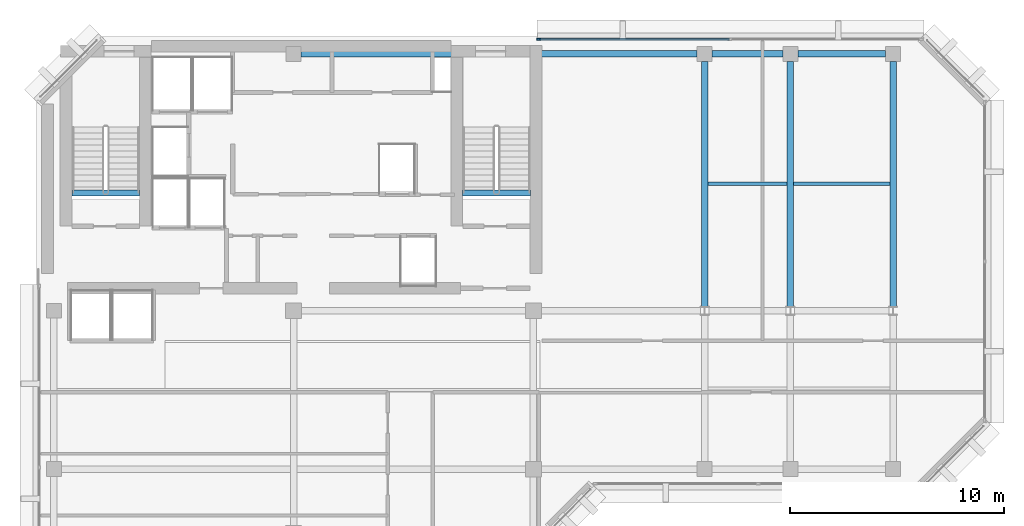
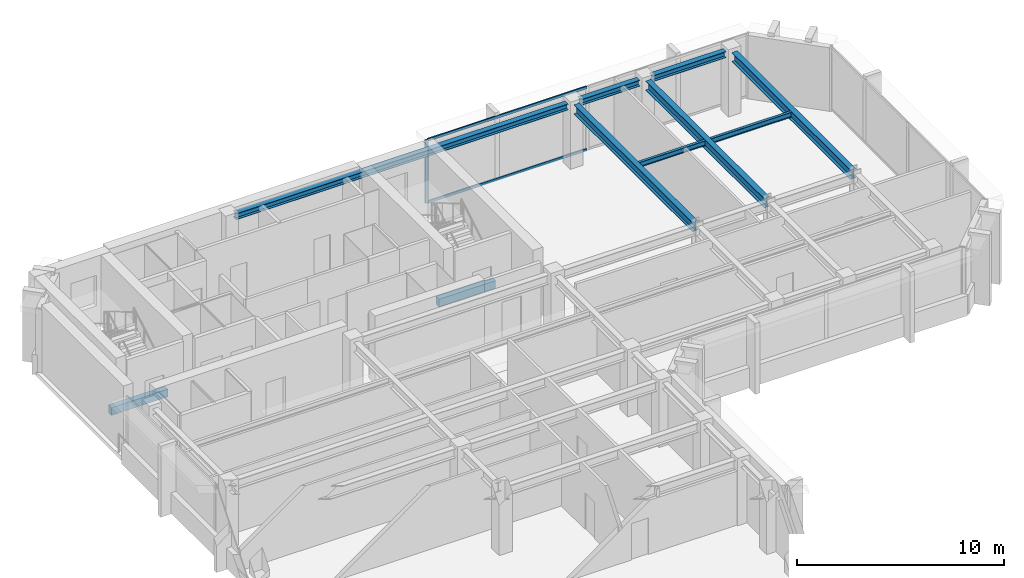
# One storey, part 4 of 11: 10 beams, 3 members, 1 element without a shape of its own.
"""IFC4 building model written with IfcOpenShell, lengths in metres."""

from ifc_helpers import new_model, si_unit, direction, frame, origin, origin_2d, place, context, subcontext, project, spatial, rectangle, i_section, extrude, material, layer, layer_set, material_profile, profile_set, type_object, element, aggregate, save


model = new_model("IFC4")

# Units and contexts
model_context = context("Model", 3, precision=1e-05, world=origin(), true_north=direction((0.0, 1.0)))
body_context = subcontext(model_context, "Body", "Model", "MODEL_VIEW")
ifc_project = project(units=[si_unit("LENGTHUNIT", "METRE"), si_unit("AREAUNIT", "SQUARE_METRE"), si_unit("VOLUMEUNIT", "CUBIC_METRE"), si_unit("PLANEANGLEUNIT", "RADIAN"), si_unit("MASSUNIT", "GRAM", prefix="KILO")], contexts=[model_context])

# Site, building, storey
site_placement = place(None, origin())
site = spatial("IfcSite", under=ifc_project, at=site_placement, CompositionType="ELEMENT")
building_placement = place(site_placement, origin())
building = spatial("IfcBuilding", under=site, at=building_placement, Name="Kefirva Bronze Tower", CompositionType="ELEMENT")
storey_placement = place(building_placement, frame((0.0, 0.0, 276.2099609375)))
storey = spatial("IfcBuildingStorey", under=building, at=storey_placement, Name="L67", CompositionType="ELEMENT", Elevation=276.2099609375)

# Curtain wall, members
ifc_material_1 = material(Name="Bronze anodised aluminium", Category="aluminium")
ifc_layer = layer(ifc_material_1, 0.179931640625, Name="Bronze anodised aluminium")
ifc_layer_set = layer_set([ifc_layer], Name="Bronze anodised aluminium")
curtain_wall_type = type_object("IfcCurtainWallType", Name="Unitised Bronze Ribbon Curtain Wall Zone 4", PredefinedType="USERDEFINED", material=ifc_layer_set)
curtain_wall_placement = place(storey_placement, origin())
curtain_wall = element("IfcCurtainWall", 1, at=curtain_wall_placement, inside=storey, type_object=curtain_wall_type, Name="L67 Curtain Wall 4", ObjectType="UNITISED CURTAIN WALL", PredefinedType="USERDEFINED")
ifc_material_profile_1 = material_profile(ifc_material_1, rectangle(XDim=0.074951171875, YDim=0.179931640625, at=origin_2d()), Name="ALU 75x180")
ifc_profile_set_1 = profile_set([ifc_material_profile_1], Name="Bronze anodised aluminium")
member_type_1 = type_object("IfcMemberType", Name="Bronze Mullion 75x180", PredefinedType="MULLION", material=ifc_profile_set_1)
member_1_placement = place(storey_placement, frame((23.4423828125, 45.8798828125, 0.0), z_axis=(0.0, 0.0, 1.0), x_axis=(0.0, -1.0, 0.0)))
member_1 = element("IfcMember", 2, at=member_1_placement, type_object=member_type_1, Name="CW-04 mullion 3", PredefinedType="MULLION", context=body_context, shape_type="SweptSolid", body=[
    extrude(rectangle(XDim=0.074951171875, YDim=0.179931640625, at=origin_2d()), origin(), (0.0, 0.0, 1.0), 3.739990234375),
])
ifc_material_profile_2 = material_profile(ifc_material_1, rectangle(XDim=0.074951171875, YDim=0.14990234375, at=origin_2d()), Name="ALU 75x150")
ifc_profile_set_2 = profile_set([ifc_material_profile_2], Name="Bronze anodised aluminium")
member_type_2 = type_object("IfcMemberType", Name="Bronze Transom 75x150", PredefinedType="USERDEFINED", material=ifc_profile_set_2)
member_2_placement = place(storey_placement, frame((32.33740234375, 45.8798828125, 0.03759765625), z_axis=(-1.0, 0.0, 0.0), x_axis=(0.0, -1.0, 0.0)))
member_2 = element("IfcMember", 3, at=member_2_placement, type_object=member_type_2, Name="CW-04 transom 2.1", ObjectType="TRANSOM", PredefinedType="USERDEFINED", context=body_context, shape_type="SweptSolid", body=[
    extrude(rectangle(XDim=0.074951171875, YDim=0.14990234375, at=origin_2d()), origin(), (0.0, 0.0, 1.0), 8.857421875),
])
member_3_placement = place(storey_placement, frame((32.33740234375, 45.8798828125, 3.70263671875), z_axis=(-1.0, 0.0, 0.0), x_axis=(0.0, -1.0, 0.0)))
member_3 = element("IfcMember", 4, at=member_3_placement, type_object=member_type_2, Name="CW-04 transom 2.2", ObjectType="TRANSOM", PredefinedType="USERDEFINED", context=body_context, shape_type="SweptSolid", body=[
    extrude(rectangle(XDim=0.074951171875, YDim=0.14990234375, at=origin_2d()), origin(), (0.0, 0.0, 1.0), 8.857421875),
])
aggregate(curtain_wall, [member_1, member_2, member_3])

# Beams
ifc_material_2 = material(Name="Concrete C50/60", Category="concrete")
ifc_material_profile_3 = material_profile(ifc_material_2, rectangle(XDim=0.300048828125, YDim=0.449951171875, at=origin_2d()), Name="RC 300x450")
ifc_profile_set_3 = profile_set([ifc_material_profile_3], Name="Concrete C50/60")
beam_type_1 = type_object("IfcBeamType", Name="RC Stair Trimmer Beam 300x450", PredefinedType="BEAM", material=ifc_profile_set_3)
beam_1_placement = place(storey_placement, frame((1.64501953125, 38.699951171875, -0.224853515625), z_axis=(1.0, 0.0, 0.0), x_axis=(0.0, 1.0, 0.0)))
element("IfcBeam", 5, at=beam_1_placement, inside=storey, type_object=beam_type_1, Name="L67 Stair 1 Landing Trimmer Beam", PredefinedType="BEAM", context=body_context, shape_type="SweptSolid", body=[
    extrude(rectangle(XDim=0.300048828125, YDim=0.449951171875, at=origin_2d()), origin(), (0.0, 0.0, 1.0), 3.14990234375),
])
beam_2_placement = place(storey_placement, frame((19.89501953125, 38.699951171875, -0.224853515625), z_axis=(1.0, 0.0, 0.0), x_axis=(0.0, 1.0, 0.0)))
element("IfcBeam", 6, at=beam_2_placement, inside=storey, type_object=beam_type_1, Name="L67 Stair 2 Landing Trimmer Beam", PredefinedType="BEAM", context=body_context, shape_type="SweptSolid", body=[
    extrude(rectangle(XDim=0.300048828125, YDim=0.449951171875, at=origin_2d()), origin(), (0.0, 0.0, 1.0), 3.159912109375),
])
ifc_material_3 = material(Name="Steel S355", Category="steel")
ifc_material_profile_4 = material_profile(ifc_material_3, i_section(OverallWidth=0.14990234375, OverallDepth=0.300048828125, WebThickness=0.007080078125, FlangeThickness=0.0107421875, at=origin_2d()), Name="IPE 300")
ifc_profile_set_4 = profile_set([ifc_material_profile_4], Name="Steel S355")
beam_type_2 = type_object("IfcBeamType", Name="Steel Floor Joist IPE 300", PredefinedType="JOIST", material=ifc_profile_set_4)
beam_3_placement = place(storey_placement, frame((31.35009765625, 39.12890625, 3.590087890625), z_axis=(1.0, 0.0, 0.0), x_axis=(0.0, 1.0, 0.0)))
element("IfcBeam", 7, at=beam_3_placement, inside=storey, type_object=beam_type_2, Name="L67 JST-L67-31-391", PredefinedType="JOIST", context=body_context, shape_type="SweptSolid", body=[
    extrude(i_section(OverallWidth=0.14990234375, OverallDepth=0.300048828125, WebThickness=0.007080078125, FlangeThickness=0.0107421875, at=origin_2d()), origin(), (0.0, 0.0, 1.0), 3.699951171875),
])
beam_4_placement = place(storey_placement, frame((35.35009765625, 39.12890625, 3.590087890625), z_axis=(1.0, 0.0, 0.0), x_axis=(0.0, 1.0, 0.0)))
element("IfcBeam", 8, at=beam_4_placement, inside=storey, type_object=beam_type_2, Name="L67 JST-L67-35-391", PredefinedType="JOIST", context=body_context, shape_type="SweptSolid", body=[
    extrude(i_section(OverallWidth=0.14990234375, OverallDepth=0.300048828125, WebThickness=0.007080078125, FlangeThickness=0.0107421875, at=origin_2d()), origin(), (0.0, 0.0, 1.0), 4.5),
])
ifc_material_profile_5 = material_profile(ifc_material_3, i_section(OverallWidth=0.300048828125, OverallDepth=0.550048828125, WebThickness=0.014892578125, FlangeThickness=0.029052734375, at=origin_2d()), Name="HEB 550")
ifc_profile_set_5 = profile_set([ifc_material_profile_5], Name="Steel S355")
beam_type_3 = type_object("IfcBeamType", Name="Steel Girder HEB 550", PredefinedType="USERDEFINED", material=ifc_profile_set_5)
for number, where, z_axis, x_axis, name in (
    (9, (31.199951171875, 33.407958984375, 3.465087890625), (0.0, 1.0, 0.0), (-1.0, 0.0, 0.0), "L67 BM-L67-NS-312-33"),
    (10, (35.199951171875, 33.407958984375, 3.465087890625), (0.0, 1.0, 0.0), (-1.0, 0.0, 0.0), "L67 BM-L67-NS-352-33"),
    (11, (40.0, 33.407958984375, 3.465087890625), (0.0, 1.0, 0.0), (-1.0, 0.0, 0.0), "L67 BM-L67-NS-400-33"),
):
    element("IfcBeam", number, at=place(storey_placement, frame(where, z_axis=z_axis, x_axis=x_axis)), inside=storey, type_object=beam_type_3, Name=name, ObjectType="GIRDER", PredefinedType="USERDEFINED", context=body_context, shape_type="SweptSolid", body=[
        extrude(i_section(OverallWidth=0.300048828125, OverallDepth=0.550048828125, WebThickness=0.014892578125, FlangeThickness=0.029052734375, at=origin_2d()), origin(), (0.0, 0.0, 1.0), 11.442138671875),
    ])
ifc_material_profile_6 = material_profile(ifc_material_3, i_section(OverallWidth=0.300048828125, OverallDepth=0.360107421875, WebThickness=0.012451171875, FlangeThickness=0.0224609375, at=origin_2d()), Name="HEB 360")
ifc_profile_set_6 = profile_set([ifc_material_profile_6], Name="Steel S355")
beam_type_4 = type_object("IfcBeamType", Name="Steel Spandrel HEB 360 Ext", PredefinedType="SPANDREL", material=ifc_profile_set_6)
beam_5_placement = place(storey_placement, frame((12.35009765625, 45.199951171875, 3.56005859375), z_axis=(1.0, 0.0, 0.0), x_axis=(0.0, 1.0, 0.0)))
element("IfcBeam", 12, at=beam_5_placement, inside=storey, type_object=beam_type_4, Name="L67 BM-L67-EW-12-452", PredefinedType="SPANDREL", context=body_context, shape_type="SweptSolid", body=[
    extrude(i_section(OverallWidth=0.300048828125, OverallDepth=0.360107421875, WebThickness=0.012451171875, FlangeThickness=0.0224609375, at=origin_2d()), origin(), (0.0, 0.0, 1.0), 18.5),
])
beam_6_placement = place(storey_placement, frame((31.550048828125, 45.199951171875, 3.56005859375), z_axis=(1.0, 0.0, 0.0), x_axis=(0.0, 1.0, 0.0)))
element("IfcBeam", 13, at=beam_6_placement, inside=storey, type_object=beam_type_4, Name="L67 BM-L67-EW-31-452", PredefinedType="SPANDREL", context=body_context, shape_type="SweptSolid", body=[
    extrude(i_section(OverallWidth=0.300048828125, OverallDepth=0.360107421875, WebThickness=0.012451171875, FlangeThickness=0.0224609375, at=origin_2d()), origin(), (0.0, 0.0, 1.0), 3.300048828125),
])
beam_7_placement = place(storey_placement, frame((35.550048828125, 45.199951171875, 3.56005859375), z_axis=(1.0, 0.0, 0.0), x_axis=(0.0, 1.0, 0.0)))
element("IfcBeam", 14, at=beam_7_placement, inside=storey, type_object=beam_type_4, Name="L67 BM-L67-EW-35-452", PredefinedType="SPANDREL", context=body_context, shape_type="SweptSolid", body=[
    extrude(i_section(OverallWidth=0.300048828125, OverallDepth=0.360107421875, WebThickness=0.012451171875, FlangeThickness=0.0224609375, at=origin_2d()), origin(), (0.0, 0.0, 1.0), 4.099853515625),
])

save(model, "model.ifc")
